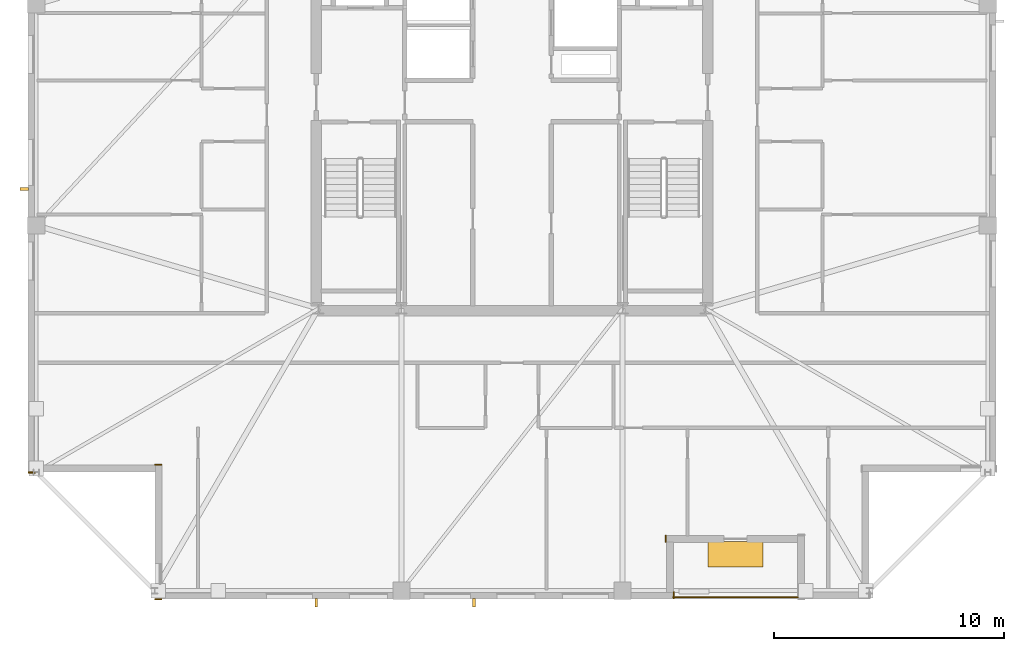
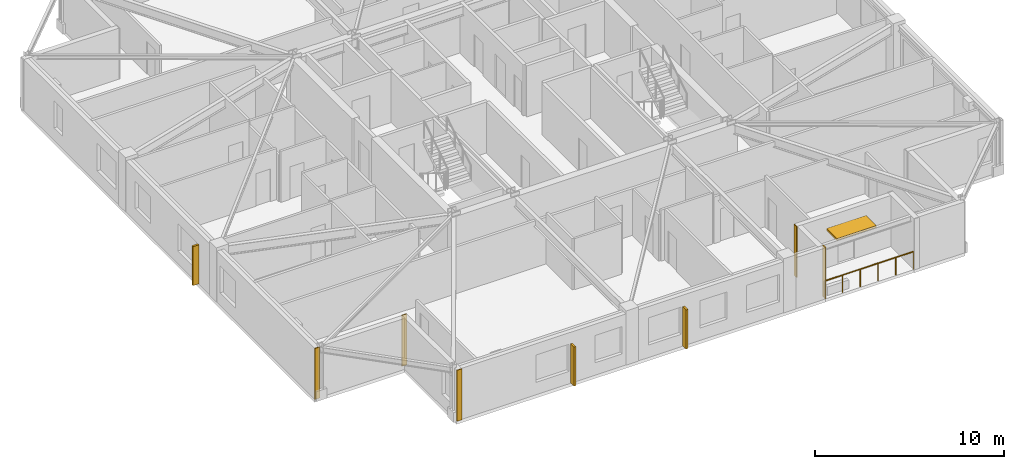
# One storey, part 12 of 15: 5 coverings, 4 shading devices, 1 railing.
"""IFC4 building model written with IfcOpenShell, lengths in metres."""

from ifc_helpers import new_model, si_unit, direction, frame, frame_2d, origin, origin_2d, place, context, subcontext, project, spatial, rectangle, circle, extrude, material, layer, layer_set, type_object, element, save


model = new_model("IFC4")

# Units and contexts
model_context = context("Model", 3, precision=1e-05, world=origin(), true_north=direction((0.0, 1.0)))
body_context = subcontext(model_context, "Body", "Model", "MODEL_VIEW")
ifc_project = project(units=[si_unit("LENGTHUNIT", "METRE"), si_unit("AREAUNIT", "SQUARE_METRE"), si_unit("VOLUMEUNIT", "CUBIC_METRE"), si_unit("PLANEANGLEUNIT", "RADIAN"), si_unit("MASSUNIT", "GRAM", prefix="KILO")], contexts=[model_context])

# Site, building, storey
site_placement = place(None, origin())
site = spatial("IfcSite", under=ifc_project, at=site_placement, CompositionType="ELEMENT")
building_placement = place(site_placement, origin())
building = spatial("IfcBuilding", under=site, at=building_placement, Name="Cairnveth Concourse Tower", CompositionType="ELEMENT")
storey_placement = place(building_placement, frame((0.0, 0.0, 287.5)))
storey = spatial("IfcBuildingStorey", under=building, at=storey_placement, Name="L79", CompositionType="ELEMENT", Elevation=287.5)

# Coverings
ifc_material_1 = material(Name="Dressed Melbourne Bluestone Cladding", Category="masonry")
ifc_layer = layer(ifc_material_1, 0.050048828125)
ifc_layer_set = layer_set([ifc_layer], Name="Dressed Melbourne Bluestone Cladding")
covering_type = type_object("IfcCoveringType", Name="DRESSED BLUESTONE PLINTH CLADDING 50", PredefinedType="CLADDING", material=ifc_layer_set)
for number, where, z_axis, x_axis, name in (
    (1, (59.02001953125, 18.300048828125, 0.0), (0.0, 0.0, 1.0), (0.0, -1.0, 0.0), "Melbourne Bluestone Corner Quoin L79-1195"),
    (2, (36.800048828125, 17.97998046875, 0.0), (0.0, 0.0, 1.0), (-1.0, 0.0, 0.0), "Melbourne Bluestone Corner Quoin L79-1196"),
    (3, (36.800048828125, 23.820068359375, 0.0), (0.0, 0.0, 1.0), (-1.0, 0.0, 0.0), "Melbourne Bluestone Corner Quoin L79-1197"),
    (4, (31.300048828125, 23.47998046875, 0.0), (0.0, 0.0, 1.0), (-1.0, 0.0, 0.0), "Melbourne Bluestone Corner Quoin L79-1198"),
    (5, (58.679931640625, 20.75, 0.0), (0.0, 0.0, 1.0), (0.0, -1.0, 0.0), "Melbourne Bluestone Corner Quoin L79-1210"),
):
    element("IfcCovering", number, at=place(storey_placement, frame(where, z_axis=z_axis, x_axis=x_axis)), inside=storey, type_object=covering_type, Name=name, PredefinedType="CLADDING", context=body_context, shape_type="SweptSolid", body=[
        extrude(rectangle(XDim=0.300048828125, YDim=0.050048828125, at=frame_2d((0.14990234375, 0.0))), origin(), (0.0, 0.0, 1.0), 3.2900390625),
    ])

# Shading devices
ifc_material_2 = material(Name="Architectural Bronze Anodised Aluminium 6063-T6", Category="aluminium")
shading_device_type_1 = type_object("IfcShadingDeviceType", Name="GOTHIC BRONZE VERTICAL LANCET FIN", PredefinedType="USERDEFINED", material=ifc_material_2)
for number, where, z_axis, x_axis, name in (
    (6, (50.34912109375, 17.824951171875, 0.030029296875), (0.0, 0.0, 1.0), (1.0, 0.0, 0.0), "Gothic Bronze Vertical Fin L79-0-3"),
    (7, (43.500244140625, 17.824951171875, 0.030029296875), (0.0, 0.0, 1.0), (1.0, 0.0, 0.0), "Gothic Bronze Vertical Fin L79-0-5"),
    (8, (30.824951171875, 35.782470703125, 0.030029296875), (0.0, 0.0, 1.0), (0.0, 1.0, 0.0), "Gothic Bronze Vertical Fin L79-3-3"),
):
    element("IfcShadingDevice", number, at=place(storey_placement, frame(where, z_axis=z_axis, x_axis=x_axis)), inside=storey, type_object=shading_device_type_1, Name=name, ObjectType="VERTICAL FIN", PredefinedType="USERDEFINED", context=body_context, shape_type="SweptSolid", body=[
        extrude(rectangle(XDim=0.1201171875, YDim=0.360107421875, at=origin_2d()), origin(), (0.0, 0.0, 1.0), 2.51806640625),
    ])
shading_device_type_2 = type_object("IfcShadingDeviceType", Name="SPIRAL TERRACE SUNSHADE CANOPY", PredefinedType="USERDEFINED", material=ifc_material_2)
shading_device_placement = place(storey_placement, frame((61.699951171875, 19.929931640625, 2.39794921875), z_axis=(0.0, 0.0, 1.0), x_axis=(1.0, 0.0, 0.0)))
element("IfcShadingDevice", 9, at=shading_device_placement, inside=storey, type_object=shading_device_type_2, Name="Spiral Terrace Sunshade L79", ObjectType="TERRACE SUNSHADE", PredefinedType="USERDEFINED", context=body_context, shape_type="SweptSolid", body=[
    extrude(rectangle(XDim=2.39990234375, YDim=1.10009765625, at=origin_2d()), origin(), (0.0, 0.0, 1.0), 0.1201171875),
])

# Railing
railing_type = type_object("IfcRailingType", Name="TERRACE BRONZE BALUSTRADE 1150", PredefinedType="BALUSTRADE", material=ifc_material_2)
railing_placement = place(storey_placement, frame((59.0, 18.06005859375, 0.0)))
element("IfcRailing", 10, at=railing_placement, inside=storey, type_object=railing_type, Name="Terrace Balustrade RL-L79-TERR", PredefinedType="BALUSTRADE", context=body_context, shape_type="SweptSolid", body=[
    extrude(circle(Radius=0.02490234375, at=origin_2d()), frame((0.0, 0.0, 1.125), z_axis=(1.0, 0.0, 0.0), x_axis=(0.0, 1.0, 0.0)), (0.0, 0.0, 1.0), 5.39990234375),
    extrude(circle(Radius=0.02099609375, at=origin_2d()), origin(), (0.0, 0.0, 1.0), 1.099853515625),
    extrude(circle(Radius=0.02099609375, at=origin_2d()), frame((1.080078125, 0.0, 0.0)), (0.0, 0.0, 1.0), 1.099853515625),
    extrude(circle(Radius=0.02099609375, at=origin_2d()), frame((2.159912109375, 0.0, 0.0)), (0.0, 0.0, 1.0), 1.099853515625),
    extrude(circle(Radius=0.02099609375, at=origin_2d()), frame((3.239990234375, 0.0, 0.0)), (0.0, 0.0, 1.0), 1.099853515625),
    extrude(circle(Radius=0.02099609375, at=origin_2d()), frame((4.31982421875, 0.0, 0.0)), (0.0, 0.0, 1.0), 1.099853515625),
    extrude(circle(Radius=0.02099609375, at=origin_2d()), frame((5.39990234375, 0.0, 0.0)), (0.0, 0.0, 1.0), 1.099853515625),
])

save(model, "model.ifc")
